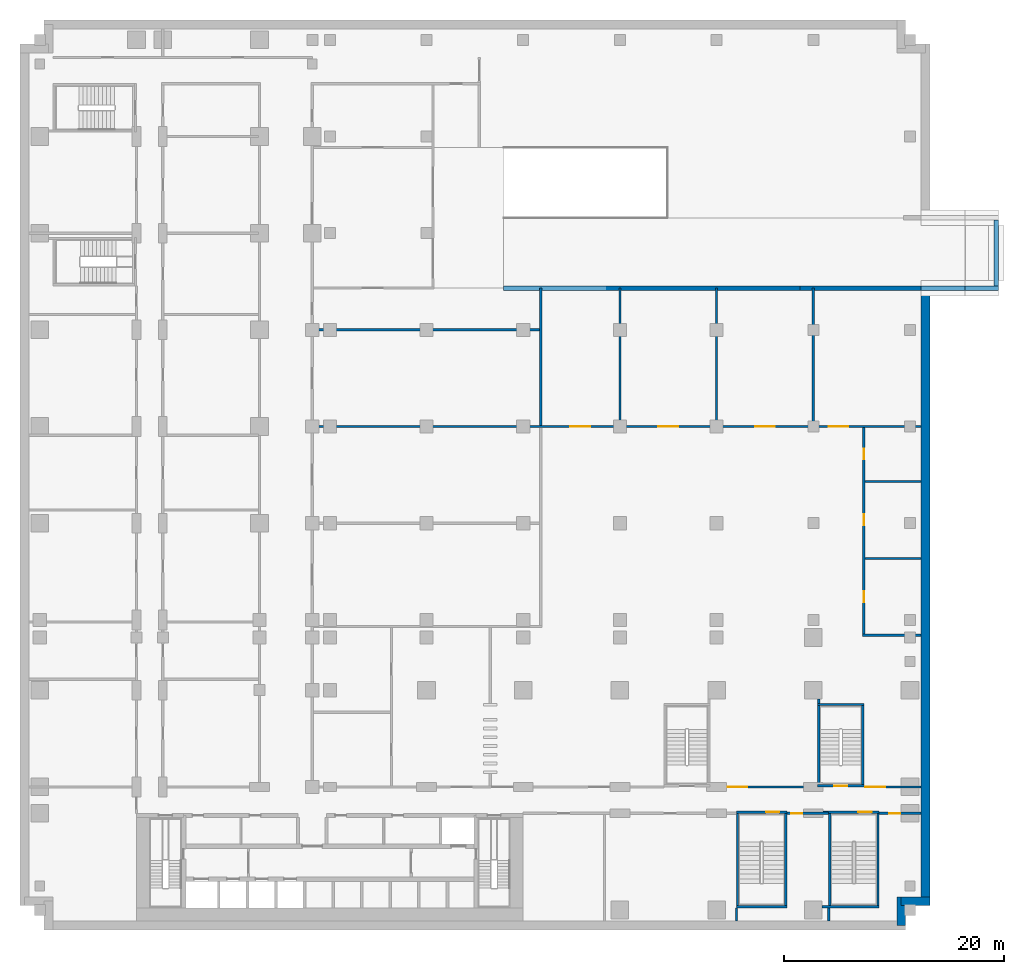
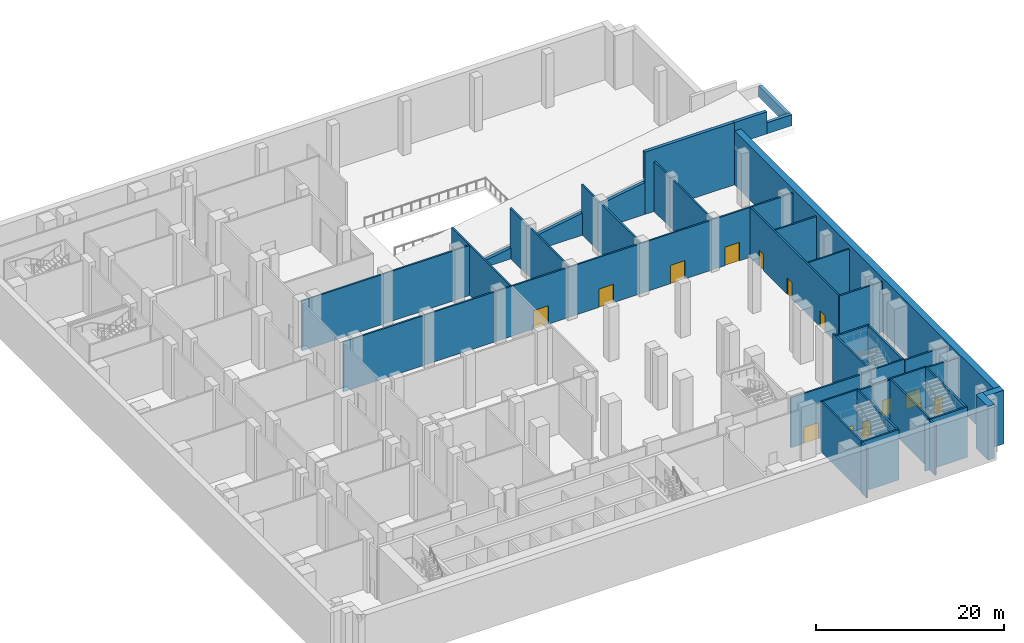
# One storey, part 7 of 15: 36 walls, 14 doors, 14 openings.
"""IFC4 building model written with IfcOpenShell, lengths in metres."""

from ifc_helpers import new_model, si_unit, direction, frame, frame_2d, origin, place, context, subcontext, project, spatial, polyline, rectangle, outline, extrude, material, layer, layer_set, type_object, element, fill, save


model = new_model("IFC4")

# Units and contexts
model_context = context("Model", 3, precision=1e-05, world=origin(), true_north=direction((0.0, 1.0)))
body_context = subcontext(model_context, "Body", "Model", "MODEL_VIEW")
ifc_project = project(units=[si_unit("LENGTHUNIT", "METRE"), si_unit("AREAUNIT", "SQUARE_METRE"), si_unit("VOLUMEUNIT", "CUBIC_METRE"), si_unit("PLANEANGLEUNIT", "RADIAN"), si_unit("MASSUNIT", "GRAM", prefix="KILO")], contexts=[model_context])

# Site, building, storey
site_placement = place(None, origin())
site = spatial("IfcSite", under=ifc_project, at=site_placement, CompositionType="ELEMENT")
building_placement = place(site_placement, origin())
building = spatial("IfcBuilding", under=site, at=building_placement, Name="Kemantara Hotel Tower", CompositionType="ELEMENT")
storey_placement = place(building_placement, frame((0.0, 0.0, -7.0)))
storey = spatial("IfcBuildingStorey", under=building, at=storey_placement, Name="B1", CompositionType="ELEMENT", Elevation=-7.0)

# Walls
ifc_material_1 = material(Name="Concrete fc 40 MPa", Category="concrete")
ifc_layer_1 = layer(ifc_material_1, 0.800048828125)
ifc_layer_set_1 = layer_set([ifc_layer_1], Name="Concrete fc 40 MPa")
wall_type_1 = type_object("IfcWallType", Name="BASEMENT PERIMETER WALL 800 FC40", PredefinedType="SHEAR", material=ifc_layer_set_1)
wall_1_placement = place(storey_placement, frame((81.60009765625, 57.39990234375, 0.0), z_axis=(0.0, 0.0, 1.0), x_axis=(0.0, -1.0, 0.0)))
element("IfcWall", 1, at=wall_1_placement, inside=storey, type_object=wall_type_1, Name="BASEMENT PERIMETER WALL B1 1", PredefinedType="SHEAR", context=body_context, shape_type="SweptSolid", body=[
    extrude(rectangle(XDim=55.599853515625, YDim=0.800048828125, at=frame_2d((27.7998046875, 0.0))), origin(), (0.0, 0.0, 1.0), 7.0),
])
wall_2_placement = place(storey_placement, frame((82.0, 1.800048828125, 0.0), z_axis=(0.0, 0.0, 1.0), x_axis=(-1.0, 0.0, 0.0)))
element("IfcWall", 2, at=wall_2_placement, inside=storey, type_object=wall_type_1, Name="BASEMENT PERIMETER WALL B1 2", PredefinedType="SHEAR", context=body_context, shape_type="SweptSolid", body=[
    extrude(rectangle(XDim=2.60009765625, YDim=0.800048828125, at=frame_2d((1.300048828125, 0.0))), origin(), (0.0, 0.0, 1.0), 7.0),
])
wall_3_placement = place(storey_placement, frame((79.39990234375, 2.199951171875, 0.0), z_axis=(0.0, 0.0, 1.0), x_axis=(0.0, -1.0, 0.0)))
element("IfcWall", 3, at=wall_3_placement, inside=storey, type_object=wall_type_1, Name="BASEMENT PERIMETER WALL B1 3", PredefinedType="SHEAR", context=body_context, shape_type="SweptSolid", body=[
    extrude(rectangle(XDim=2.599853515625, YDim=0.800048828125, at=frame_2d((1.2998046875, 0.0))), origin(), (0.0, 0.0, 1.0), 7.0),
])

# Wall, opening, door
ifc_layer_2 = layer(ifc_material_1, 0.199951171875)
ifc_layer_set_2 = layer_set([ifc_layer_2], Name="Concrete fc 40 MPa")
wall_type_2 = type_object("IfcWallType", Name="Concrete stair wall 200 mm", PredefinedType="SHEAR", material=ifc_layer_set_2)
wall_4_placement = place(storey_placement, frame((71.800048828125, 12.300048828125, 0.0), z_axis=(0.0, 0.0, 1.0), x_axis=(1.0, 0.0, 0.0)))
wall_4 = element("IfcWall", 4, at=wall_4_placement, inside=storey, type_object=wall_type_2, Name="Stair ST5 enclosure wall with door", PredefinedType="SHEAR", context=body_context, shape_type="SweptSolid", body=[
    extrude(rectangle(XDim=4.199951171875, YDim=0.199951171875, at=frame_2d((2.10009765625, 0.0))), origin(), (0.0, 0.0, 1.0), 6.550048828125),
])
opening_1_placement = place(wall_4_placement, frame((1.5, 0.0, 0.0)))
opening_1 = element("IfcOpeningElement", 5, at=opening_1_placement, cuts=wall_4, Name="Opening ST5-C", PredefinedType="OPENING", context=body_context, shape_type="SweptSolid", body=[
    extrude(rectangle(XDim=1.199951171875, YDim=2.10009765625, at=frame_2d((0.60009765625, 1.050048828125))), frame((0.0, 0.10986328125, 0.0), z_axis=(0.0, -1.0, 0.0), x_axis=(1.0, 0.0, 0.0)), (0.0, 0.0, 1.0), 0.219970703125),
])
ifc_material_2 = material(Name="Steel fire door", Category="steel")
door_type_1 = type_object("IfcDoorType", Name="Fire door FD90 1200 x 2100", OperationType="NOTDEFINED", PredefinedType="DOOR", material=ifc_material_2)
door_1_placement = place(opening_1_placement, origin())
door_1 = element("IfcDoor", 6, at=door_1_placement, inside=storey, type_object=door_type_1, Name="Stair ST5 door", OperationType="SINGLE_SWING_RIGHT", OverallHeight=2.10009765625, OverallWidth=1.199951171875, PredefinedType="DOOR", context=body_context, shape_type="SweptSolid", body=[
    extrude(rectangle(XDim=1.199951171875, YDim=2.10009765625, at=frame_2d((0.60009765625, 1.050048828125))), frame((0.0, 0.02490234375, 0.0), z_axis=(0.0, -1.0, 0.0), x_axis=(1.0, 0.0, 0.0)), (0.0, 0.0, 1.0), 0.050048828125),
])
fill(opening_1, door_1)

# Walls
wall_5_placement = place(storey_placement, frame((71.800048828125, 19.699951171875, 0.0), z_axis=(0.0, 0.0, 1.0), x_axis=(1.0, 0.0, 0.0)))
element("IfcWall", 7, at=wall_5_placement, inside=storey, type_object=wall_type_2, Name="Stair ST5 enclosure wall N", PredefinedType="SHEAR", context=body_context, shape_type="SweptSolid", body=[
    extrude(rectangle(XDim=4.199951171875, YDim=0.199951171875, at=frame_2d((2.10009765625, 0.0))), origin(), (0.0, 0.0, 1.0), 6.550048828125),
])
wall_6_placement = place(storey_placement, frame((71.89990234375, 12.39990234375, 0.0), z_axis=(0.0, 0.0, 1.0), x_axis=(0.0, 1.0, 0.0)))
element("IfcWall", 8, at=wall_6_placement, inside=storey, type_object=wall_type_2, Name="Stair ST5 enclosure wall W", PredefinedType="SHEAR", context=body_context, shape_type="SweptSolid", body=[
    extrude(rectangle(XDim=7.800048828125, YDim=0.199951171875, at=frame_2d((3.89990234375, 0.0))), origin(), (0.0, 0.0, 1.0), 6.550048828125),
])
wall_7_placement = place(storey_placement, frame((75.89990234375, 12.39990234375, 0.0), z_axis=(0.0, 0.0, 1.0), x_axis=(0.0, 1.0, 0.0)))
element("IfcWall", 9, at=wall_7_placement, inside=storey, type_object=wall_type_2, Name="Stair ST5 enclosure wall E", PredefinedType="SHEAR", context=body_context, shape_type="SweptSolid", body=[
    extrude(rectangle(XDim=7.2001953125, YDim=0.199951171875, at=frame_2d((3.60009765625, 0.0))), origin(), (0.0, 0.0, 1.0), 6.550048828125),
])

# Wall, opening, door
wall_8_placement = place(storey_placement, frame((64.39990234375, 9.89990234375, 0.0), z_axis=(0.0, 0.0, 1.0), x_axis=(1.0, 0.0, 0.0)))
wall_8 = element("IfcWall", 10, at=wall_8_placement, inside=storey, type_object=wall_type_2, Name="Stair PS4 enclosure wall with door", PredefinedType="SHEAR", context=body_context, shape_type="SweptSolid", body=[
    extrude(rectangle(XDim=4.60009765625, YDim=0.199951171875, at=frame_2d((2.300048828125, 0.0))), origin(), (0.0, 0.0, 1.0), 6.550048828125),
])
opening_2_placement = place(wall_8_placement, frame((2.699951171875, 0.0, 0.0)))
opening_2 = element("IfcOpeningElement", 11, at=opening_2_placement, cuts=wall_8, Name="Opening PS4-C", PredefinedType="OPENING", context=body_context, shape_type="SweptSolid", body=[
    extrude(rectangle(XDim=1.199951171875, YDim=2.10009765625, at=frame_2d((0.60009765625, 1.050048828125))), frame((0.0, 0.10986328125, 0.0), z_axis=(0.0, -1.0, 0.0), x_axis=(1.0, 0.0, 0.0)), (0.0, 0.0, 1.0), 0.219970703125),
])
door_2_placement = place(opening_2_placement, frame((1.199951171875, 0.0, 0.0), z_axis=(0.0, 0.0, 1.0), x_axis=(-1.0, 0.0, 0.0)))
door_2 = element("IfcDoor", 12, at=door_2_placement, inside=storey, type_object=door_type_1, Name="Stair PS4 door", OperationType="SINGLE_SWING_LEFT", OverallHeight=2.10009765625, OverallWidth=1.199951171875, PredefinedType="DOOR", context=body_context, shape_type="SweptSolid", body=[
    extrude(rectangle(XDim=1.199951171875, YDim=2.10009765625, at=frame_2d((0.60009765625, 1.050048828125))), frame((0.0, 0.02490234375, 0.0), z_axis=(0.0, -1.0, 0.0), x_axis=(1.0, 0.0, 0.0)), (0.0, 0.0, 1.0), 0.050048828125),
])
fill(opening_2, door_2)

# Walls
wall_9_placement = place(storey_placement, frame((64.39990234375, 1.300048828125, 0.0), z_axis=(0.0, 0.0, 1.0), x_axis=(1.0, 0.0, 0.0)))
element("IfcWall", 13, at=wall_9_placement, inside=storey, type_object=wall_type_2, Name="Stair PS4 enclosure wall S", PredefinedType="SHEAR", context=body_context, shape_type="SweptSolid", body=[
    extrude(rectangle(XDim=4.60009765625, YDim=0.199951171875, at=frame_2d((2.300048828125, 0.0))), origin(), (0.0, 0.0, 1.0), 6.550048828125),
])
for number, where, z_axis, x_axis, name in (
    (14, (64.5, 1.39990234375, 0.0), (0.0, 0.0, 1.0), (0.0, 1.0, 0.0), "Stair PS4 enclosure wall W"),
    (15, (68.89990234375, 1.39990234375, 0.0), (0.0, 0.0, 1.0), (0.0, 1.0, 0.0), "Stair PS4 enclosure wall E"),
):
    element("IfcWall", number, at=place(storey_placement, frame(where, z_axis=z_axis, x_axis=x_axis)), inside=storey, type_object=wall_type_2, Name=name, PredefinedType="SHEAR", context=body_context, shape_type="SweptSolid", body=[
        extrude(rectangle(XDim=8.400146484375, YDim=0.199951171875, at=frame_2d((4.2001953125, 0.0))), origin(), (0.0, 0.0, 1.0), 6.550048828125),
    ])

# Wall, opening, door
wall_10_placement = place(storey_placement, frame((72.300048828125, 9.89990234375, 0.0), z_axis=(0.0, 0.0, 1.0), x_axis=(1.0, 0.0, 0.0)))
wall_10 = element("IfcWall", 16, at=wall_10_placement, inside=storey, type_object=wall_type_2, Name="Stair PS5 enclosure wall with door", PredefinedType="SHEAR", context=body_context, shape_type="SweptSolid", body=[
    extrude(rectangle(XDim=5.099853515625, YDim=0.199951171875, at=frame_2d((2.5498046875, 0.0))), origin(), (0.0, 0.0, 1.0), 6.550048828125),
])
opening_3_placement = place(wall_10_placement, frame((3.199951171875, 0.0, 0.0)))
opening_3 = element("IfcOpeningElement", 17, at=opening_3_placement, cuts=wall_10, Name="Opening PS5-C", PredefinedType="OPENING", context=body_context, shape_type="SweptSolid", body=[
    extrude(rectangle(XDim=1.199951171875, YDim=2.10009765625, at=frame_2d((0.60009765625, 1.050048828125))), frame((0.0, 0.10986328125, 0.0), z_axis=(0.0, -1.0, 0.0), x_axis=(1.0, 0.0, 0.0)), (0.0, 0.0, 1.0), 0.219970703125),
])
door_3_placement = place(opening_3_placement, frame((1.199951171875, 0.0, 0.0), z_axis=(0.0, 0.0, 1.0), x_axis=(-1.0, 0.0, 0.0)))
door_3 = element("IfcDoor", 18, at=door_3_placement, inside=storey, type_object=door_type_1, Name="Stair PS5 door", OperationType="SINGLE_SWING_LEFT", OverallHeight=2.10009765625, OverallWidth=1.199951171875, PredefinedType="DOOR", context=body_context, shape_type="SweptSolid", body=[
    extrude(rectangle(XDim=1.199951171875, YDim=2.10009765625, at=frame_2d((0.60009765625, 1.050048828125))), frame((0.0, 0.02490234375, 0.0), z_axis=(0.0, -1.0, 0.0), x_axis=(1.0, 0.0, 0.0)), (0.0, 0.0, 1.0), 0.050048828125),
])
fill(opening_3, door_3)

# Walls
wall_11_placement = place(storey_placement, frame((72.199951171875, 1.300048828125, 0.0), z_axis=(0.0, 0.0, 1.0), x_axis=(1.0, 0.0, 0.0)))
element("IfcWall", 19, at=wall_11_placement, inside=storey, type_object=wall_type_2, Name="Stair PS5 enclosure wall S", PredefinedType="SHEAR", context=body_context, shape_type="SweptSolid", body=[
    extrude(rectangle(XDim=5.199951171875, YDim=0.199951171875, at=frame_2d((2.60009765625, 0.0))), origin(), (0.0, 0.0, 1.0), 6.550048828125),
])
for number, where, z_axis, x_axis, name in (
    (20, (72.89990234375, 1.39990234375, 0.0), (0.0, 0.0, 1.0), (0.0, 1.0, 0.0), "Stair PS5 enclosure wall W"),
    (21, (77.300048828125, 1.39990234375, 0.0), (0.0, 0.0, 1.0), (0.0, 1.0, 0.0), "Stair PS5 enclosure wall E"),
):
    element("IfcWall", number, at=place(storey_placement, frame(where, z_axis=z_axis, x_axis=x_axis)), inside=storey, type_object=wall_type_2, Name=name, PredefinedType="SHEAR", context=body_context, shape_type="SweptSolid", body=[
        extrude(rectangle(XDim=8.400146484375, YDim=0.199951171875, at=frame_2d((4.2001953125, 0.0))), origin(), (0.0, 0.0, 1.0), 6.550048828125),
    ])

# Wall, opening, door
ifc_material_3 = material(Name="Fire-rated gypsum board partition")
ifc_layer_3 = layer(ifc_material_3, 0.199951171875)
ifc_layer_set_3 = layer_set([ifc_layer_3], Name="Fire-rated gypsum board partition")
wall_type_3 = type_object("IfcWallType", Name="FIRE-RATED GYPSUM PARTITION 200 EI 60", PredefinedType="PARTITIONING", material=ifc_layer_set_3)
wall_12_placement = place(storey_placement, frame((62.0, 12.199951171875, 0.0), z_axis=(0.0, 0.0, 1.0), x_axis=(1.0, 0.0, 0.0)))
wall_12 = element("IfcWall", 22, at=wall_12_placement, inside=storey, type_object=wall_type_3, Name="FIRE-RATED PARTITION", PredefinedType="PARTITIONING", context=body_context, shape_type="SweptSolid", body=[
    extrude(rectangle(XDim=9.800048828125, YDim=0.199951171875, at=frame_2d((4.89990234375, 0.0))), origin(), (0.0, 0.0, 1.0), 6.5),
])
opening_4_placement = place(wall_12_placement, frame((1.60009765625, 0.0, 0.0)))
opening_4 = element("IfcOpeningElement", 23, at=opening_4_placement, cuts=wall_12, Name="Opening B1-B027", PredefinedType="OPENING", context=body_context, shape_type="SweptSolid", body=[
    extrude(rectangle(XDim=1.800048828125, YDim=2.10009765625, at=frame_2d((0.89990234375, 1.050048828125))), frame((0.0, 0.10986328125, 0.0), z_axis=(0.0, -1.0, 0.0), x_axis=(1.0, 0.0, 0.0)), (0.0, 0.0, 1.0), 0.219970703125),
])
ifc_material_4 = material(Name="Galvanised steel door leaf", Category="steel")
door_type_2 = type_object("IfcDoorType", Name="FIRE-RATED STEEL DOOR DOUBLE LEAF 1800 X 2100", OperationType="DOUBLE_DOOR_SINGLE_SWING", PredefinedType="DOOR", material=ifc_material_4)
door_4_placement = place(opening_4_placement, origin())
door_4 = element("IfcDoor", 24, at=door_4_placement, inside=storey, type_object=door_type_2, Name="FIRE-RATED STEEL DOOR DOUBLE LEAF", OperationType="DOUBLE_DOOR_SINGLE_SWING", OverallHeight=2.10009765625, OverallWidth=1.800048828125, PredefinedType="DOOR", context=body_context, shape_type="SweptSolid", body=[
    extrude(rectangle(XDim=1.800048828125, YDim=2.10009765625, at=frame_2d((0.89990234375, 1.050048828125))), frame((0.0, 0.02490234375, 0.0), z_axis=(0.0, -1.0, 0.0), x_axis=(1.0, 0.0, 0.0)), (0.0, 0.0, 1.0), 0.050048828125),
])
fill(opening_4, door_4)

wall_13_placement = place(storey_placement, frame((76.0, 12.199951171875, 0.0), z_axis=(0.0, 0.0, 1.0), x_axis=(1.0, 0.0, 0.0)))
wall_13 = element("IfcWall", 25, at=wall_13_placement, inside=storey, type_object=wall_type_3, Name="FIRE-RATED PARTITION", PredefinedType="PARTITIONING", context=body_context, shape_type="SweptSolid", body=[
    extrude(rectangle(XDim=5.199951171875, YDim=0.199951171875, at=frame_2d((2.60009765625, 0.0))), origin(), (0.0, 0.0, 1.0), 6.5),
])
opening_5_placement = place(wall_13_placement, frame((0.14990234375, 0.0, 0.0)))
opening_5 = element("IfcOpeningElement", 26, at=opening_5_placement, cuts=wall_13, Name="Opening B1-B028", PredefinedType="OPENING", context=body_context, shape_type="SweptSolid", body=[
    extrude(rectangle(XDim=1.800048828125, YDim=2.10009765625, at=frame_2d((0.89990234375, 1.050048828125))), frame((0.0, 0.10986328125, 0.0), z_axis=(0.0, -1.0, 0.0), x_axis=(1.0, 0.0, 0.0)), (0.0, 0.0, 1.0), 0.219970703125),
])
door_5_placement = place(opening_5_placement, origin())
door_5 = element("IfcDoor", 27, at=door_5_placement, inside=storey, type_object=door_type_2, Name="FIRE-RATED STEEL DOOR DOUBLE LEAF", OperationType="DOUBLE_DOOR_SINGLE_SWING", OverallHeight=2.10009765625, OverallWidth=1.800048828125, PredefinedType="DOOR", context=body_context, shape_type="SweptSolid", body=[
    extrude(rectangle(XDim=1.800048828125, YDim=2.10009765625, at=frame_2d((0.89990234375, 1.050048828125))), frame((0.0, 0.02490234375, 0.0), z_axis=(0.0, -1.0, 0.0), x_axis=(1.0, 0.0, 0.0)), (0.0, 0.0, 1.0), 0.050048828125),
])
fill(opening_5, door_5)

wall_14_placement = place(storey_placement, frame((69.0, 9.800048828125, 0.0), z_axis=(0.0, 0.0, 1.0), x_axis=(1.0, 0.0, 0.0)))
wall_14 = element("IfcWall", 28, at=wall_14_placement, inside=storey, type_object=wall_type_3, Name="FIRE-RATED PARTITION", PredefinedType="PARTITIONING", context=body_context, shape_type="SweptSolid", body=[
    extrude(rectangle(XDim=3.800048828125, YDim=0.199951171875, at=frame_2d((1.89990234375, 0.0))), origin(), (0.0, 0.0, 1.0), 6.5),
])
opening_6_placement = place(wall_14_placement, frame((0.39990234375, 0.0, 0.0)))
opening_6 = element("IfcOpeningElement", 29, at=opening_6_placement, cuts=wall_14, Name="Opening B1-B021", PredefinedType="OPENING", context=body_context, shape_type="SweptSolid", body=[
    extrude(rectangle(XDim=1.0, YDim=2.10009765625, at=frame_2d((0.5, 1.050048828125))), frame((0.0, 0.10986328125, 0.0), z_axis=(0.0, -1.0, 0.0), x_axis=(1.0, 0.0, 0.0)), (0.0, 0.0, 1.0), 0.219970703125),
])
ifc_material_5 = material(Name="Timber veneer door leaf", Category="wood")
door_type_3 = type_object("IfcDoorType", Name="SINGLE LEAF TIMBER DOOR 1000 X 2100", OperationType="SINGLE_SWING_LEFT", PredefinedType="DOOR", material=ifc_material_5)
door_6_placement = place(opening_6_placement, origin())
door_6 = element("IfcDoor", 30, at=door_6_placement, inside=storey, type_object=door_type_3, Name="SINGLE LEAF TIMBER DOOR", OperationType="SINGLE_SWING_LEFT", OverallHeight=2.10009765625, OverallWidth=1.0, PredefinedType="DOOR", context=body_context, shape_type="SweptSolid", body=[
    extrude(rectangle(XDim=1.0, YDim=2.10009765625, at=frame_2d((0.5, 1.050048828125))), frame((0.0, 0.02490234375, 0.0), z_axis=(0.0, -1.0, 0.0), x_axis=(1.0, 0.0, 0.0)), (0.0, 0.0, 1.0), 0.050048828125),
])
fill(opening_6, door_6)

wall_15_placement = place(storey_placement, frame((77.39990234375, 9.800048828125, 0.0), z_axis=(0.0, 0.0, 1.0), x_axis=(1.0, 0.0, 0.0)))
wall_15 = element("IfcWall", 31, at=wall_15_placement, inside=storey, type_object=wall_type_3, Name="FIRE-RATED PARTITION", PredefinedType="PARTITIONING", context=body_context, shape_type="SweptSolid", body=[
    extrude(rectangle(XDim=3.800048828125, YDim=0.199951171875, at=frame_2d((1.89990234375, 0.0))), origin(), (0.0, 0.0, 1.0), 6.5),
])
opening_7_placement = place(wall_15_placement, frame((0.89990234375, 0.0, 0.0)))
opening_7 = element("IfcOpeningElement", 32, at=opening_7_placement, cuts=wall_15, Name="Opening B1-B022", PredefinedType="OPENING", context=body_context, shape_type="SweptSolid", body=[
    extrude(rectangle(XDim=1.0, YDim=2.10009765625, at=frame_2d((0.5, 1.050048828125))), frame((0.0, 0.10986328125, 0.0), z_axis=(0.0, -1.0, 0.0), x_axis=(1.0, 0.0, 0.0)), (0.0, 0.0, 1.0), 0.219970703125),
])
door_7_placement = place(opening_7_placement, origin())
door_7 = element("IfcDoor", 33, at=door_7_placement, inside=storey, type_object=door_type_3, Name="SINGLE LEAF TIMBER DOOR", OperationType="SINGLE_SWING_LEFT", OverallHeight=2.10009765625, OverallWidth=1.0, PredefinedType="DOOR", context=body_context, shape_type="SweptSolid", body=[
    extrude(rectangle(XDim=1.0, YDim=2.10009765625, at=frame_2d((0.5, 1.050048828125))), frame((0.0, 0.02490234375, 0.0), z_axis=(0.0, -1.0, 0.0), x_axis=(1.0, 0.0, 0.0)), (0.0, 0.0, 1.0), 0.050048828125),
])
fill(opening_7, door_7)

# Walls
ifc_material_6 = material(Name="Gypsum board partition")
ifc_layer_4 = layer(ifc_material_6, 0.199951171875)
ifc_layer_set_4 = layer_set([ifc_layer_4], Name="Gypsum board partition")
wall_type_4 = type_object("IfcWallType", Name="GYPSUM BOARD PARTITION 200", PredefinedType="PARTITIONING", material=ifc_layer_set_4)
wall_16_placement = place(storey_placement, frame((76.10009765625, 33.0, 0.0), z_axis=(0.0, 0.0, 1.0), x_axis=(1.0, 0.0, 0.0)))
element("IfcWall", 34, at=wall_16_placement, inside=storey, type_object=wall_type_4, Name="PARTITION", PredefinedType="PARTITIONING", context=body_context, shape_type="SweptSolid", body=[
    extrude(rectangle(XDim=5.099853515625, YDim=0.199951171875, at=frame_2d((2.5498046875, 0.0))), origin(), (0.0, 0.0, 1.0), 6.5),
])
wall_17_placement = place(storey_placement, frame((75.89990234375, 26.0, 0.0), z_axis=(0.0, 0.0, 1.0), x_axis=(1.0, 0.0, 0.0)))
element("IfcWall", 35, at=wall_17_placement, inside=storey, type_object=wall_type_4, Name="PARTITION", PredefinedType="PARTITIONING", context=body_context, shape_type="SweptSolid", body=[
    extrude(rectangle(XDim=5.300048828125, YDim=0.199951171875, at=frame_2d((2.64990234375, 0.0))), origin(), (0.0, 0.0, 1.0), 6.5),
])
wall_18_placement = place(storey_placement, frame((76.10009765625, 40.0, 0.0), z_axis=(0.0, 0.0, 1.0), x_axis=(1.0, 0.0, 0.0)))
element("IfcWall", 36, at=wall_18_placement, inside=storey, type_object=wall_type_4, Name="PARTITION", PredefinedType="PARTITIONING", context=body_context, shape_type="SweptSolid", body=[
    extrude(rectangle(XDim=5.099853515625, YDim=0.199951171875, at=frame_2d((2.5498046875, 0.0))), origin(), (0.0, 0.0, 1.0), 6.5),
])

# Wall, openings, doors
wall_19_placement = place(storey_placement, frame((25.89990234375, 45.0, 0.0), z_axis=(0.0, 0.0, 1.0), x_axis=(1.0, 0.0, 0.0)))
wall_19 = element("IfcWall", 37, at=wall_19_placement, inside=storey, type_object=wall_type_4, Name="PARTITION", PredefinedType="PARTITIONING", context=body_context, shape_type="SweptSolid", body=[
    extrude(rectangle(XDim=55.300048828125, YDim=0.199951171875, at=frame_2d((27.64990234375, 0.0))), origin(), (0.0, 0.0, 1.0), 6.5),
])
opening_8_placement = place(wall_19_placement, frame((23.39990234375, 0.0, 0.0)))
opening_8 = element("IfcOpeningElement", 38, at=opening_8_placement, cuts=wall_19, Name="Opening B1-B032", PredefinedType="OPENING", context=body_context, shape_type="SweptSolid", body=[
    extrude(rectangle(XDim=1.800048828125, YDim=2.39990234375, at=frame_2d((0.89990234375, 1.199951171875))), frame((0.0, 0.10986328125, 0.0), z_axis=(0.0, -1.0, 0.0), x_axis=(1.0, 0.0, 0.0)), (0.0, 0.0, 1.0), 0.219970703125),
])
opening_9_placement = place(wall_19_placement, frame((31.39990234375, 0.0, 0.0)))
opening_9 = element("IfcOpeningElement", 39, at=opening_9_placement, cuts=wall_19, Name="Opening B1-B033", PredefinedType="OPENING", context=body_context, shape_type="SweptSolid", body=[
    extrude(rectangle(XDim=1.800048828125, YDim=2.39990234375, at=frame_2d((0.89990234375, 1.199951171875))), frame((0.0, 0.10986328125, 0.0), z_axis=(0.0, -1.0, 0.0), x_axis=(1.0, 0.0, 0.0)), (0.0, 0.0, 1.0), 0.219970703125),
])
opening_10_placement = place(wall_19_placement, frame((40.199951171875, 0.0, 0.0)))
opening_10 = element("IfcOpeningElement", 40, at=opening_10_placement, cuts=wall_19, Name="Opening B1-B034", PredefinedType="OPENING", context=body_context, shape_type="SweptSolid", body=[
    extrude(rectangle(XDim=1.800048828125, YDim=2.39990234375, at=frame_2d((0.89990234375, 1.199951171875))), frame((0.0, 0.10986328125, 0.0), z_axis=(0.0, -1.0, 0.0), x_axis=(1.0, 0.0, 0.0)), (0.0, 0.0, 1.0), 0.219970703125),
])
opening_11_placement = place(wall_19_placement, frame((46.89990234375, 0.0, 0.0)))
opening_11 = element("IfcOpeningElement", 41, at=opening_11_placement, cuts=wall_19, Name="Opening B1-B035", PredefinedType="OPENING", context=body_context, shape_type="SweptSolid", body=[
    extrude(rectangle(XDim=1.800048828125, YDim=2.39990234375, at=frame_2d((0.89990234375, 1.199951171875))), frame((0.0, 0.10986328125, 0.0), z_axis=(0.0, -1.0, 0.0), x_axis=(1.0, 0.0, 0.0)), (0.0, 0.0, 1.0), 0.219970703125),
])
ifc_material_7 = material(Name="Toughened glass door leaf", Category="glass")
door_type_4 = type_object("IfcDoorType", Name="GLAZED DOUBLE DOOR 1800 X 2400", OperationType="DOUBLE_DOOR_SINGLE_SWING", PredefinedType="DOOR", material=ifc_material_7)
door_8_placement = place(opening_8_placement, frame((1.800048828125, 0.0, 0.0), z_axis=(0.0, 0.0, 1.0), x_axis=(-1.0, 0.0, 0.0)))
door_8 = element("IfcDoor", 42, at=door_8_placement, inside=storey, type_object=door_type_4, Name="GLAZED DOUBLE DOOR", OperationType="DOUBLE_DOOR_SINGLE_SWING", OverallHeight=2.39990234375, OverallWidth=1.800048828125, PredefinedType="DOOR", context=body_context, shape_type="SweptSolid", body=[
    extrude(rectangle(XDim=1.800048828125, YDim=2.39990234375, at=frame_2d((0.89990234375, 1.199951171875))), frame((0.0, 0.02490234375, 0.0), z_axis=(0.0, -1.0, 0.0), x_axis=(1.0, 0.0, 0.0)), (0.0, 0.0, 1.0), 0.050048828125),
])
fill(opening_8, door_8)
door_9_placement = place(opening_9_placement, frame((1.800048828125, 0.0, 0.0), z_axis=(0.0, 0.0, 1.0), x_axis=(-1.0, 0.0, 0.0)))
door_9 = element("IfcDoor", 43, at=door_9_placement, inside=storey, type_object=door_type_4, Name="GLAZED DOUBLE DOOR", OperationType="DOUBLE_DOOR_SINGLE_SWING", OverallHeight=2.39990234375, OverallWidth=1.800048828125, PredefinedType="DOOR", context=body_context, shape_type="SweptSolid", body=[
    extrude(rectangle(XDim=1.800048828125, YDim=2.39990234375, at=frame_2d((0.89990234375, 1.199951171875))), frame((0.0, 0.02490234375, 0.0), z_axis=(0.0, -1.0, 0.0), x_axis=(1.0, 0.0, 0.0)), (0.0, 0.0, 1.0), 0.050048828125),
])
fill(opening_9, door_9)
door_10_placement = place(opening_10_placement, frame((1.800048828125, 0.0, 0.0), z_axis=(0.0, 0.0, 1.0), x_axis=(-1.0, 0.0, 0.0)))
door_10 = element("IfcDoor", 44, at=door_10_placement, inside=storey, type_object=door_type_4, Name="GLAZED DOUBLE DOOR", OperationType="DOUBLE_DOOR_SINGLE_SWING", OverallHeight=2.39990234375, OverallWidth=1.800048828125, PredefinedType="DOOR", context=body_context, shape_type="SweptSolid", body=[
    extrude(rectangle(XDim=1.800048828125, YDim=2.39990234375, at=frame_2d((0.89990234375, 1.199951171875))), frame((0.0, 0.02490234375, 0.0), z_axis=(0.0, -1.0, 0.0), x_axis=(1.0, 0.0, 0.0)), (0.0, 0.0, 1.0), 0.050048828125),
])
fill(opening_10, door_10)
door_11_placement = place(opening_11_placement, frame((1.800048828125, 0.0, 0.0), z_axis=(0.0, 0.0, 1.0), x_axis=(-1.0, 0.0, 0.0)))
door_11 = element("IfcDoor", 45, at=door_11_placement, inside=storey, type_object=door_type_4, Name="GLAZED DOUBLE DOOR", OperationType="DOUBLE_DOOR_SINGLE_SWING", OverallHeight=2.39990234375, OverallWidth=1.800048828125, PredefinedType="DOOR", context=body_context, shape_type="SweptSolid", body=[
    extrude(rectangle(XDim=1.800048828125, YDim=2.39990234375, at=frame_2d((0.89990234375, 1.199951171875))), frame((0.0, 0.02490234375, 0.0), z_axis=(0.0, -1.0, 0.0), x_axis=(1.0, 0.0, 0.0)), (0.0, 0.0, 1.0), 0.050048828125),
])
fill(opening_11, door_11)

# Walls
wall_20_placement = place(storey_placement, frame((25.89990234375, 53.800048828125, 0.0), z_axis=(0.0, 0.0, 1.0), x_axis=(1.0, 0.0, 0.0)))
element("IfcWall", 46, at=wall_20_placement, inside=storey, type_object=wall_type_4, Name="PARTITION", PredefinedType="PARTITIONING", context=body_context, shape_type="SweptSolid", body=[
    extrude(rectangle(XDim=20.60009765625, YDim=0.199951171875, at=frame_2d((10.300048828125, 0.0))), origin(), (0.0, 0.0, 1.0), 6.5),
])
for number, where, z_axis, x_axis, name in (
    (47, (64.39990234375, 0.0, 0.0), (0.0, 0.0, 1.0), (0.0, 1.0, 0.0), "PARTITION"),
    (48, (72.800048828125, 0.0, 0.0), (0.0, 0.0, 1.0), (0.0, 1.0, 0.0), "PARTITION"),
):
    element("IfcWall", number, at=place(storey_placement, frame(where, z_axis=z_axis, x_axis=x_axis)), inside=storey, type_object=wall_type_4, Name=name, PredefinedType="PARTITIONING", context=body_context, shape_type="SweptSolid", body=[
        extrude(rectangle(XDim=1.199951171875, YDim=0.199951171875, at=frame_2d((0.60009765625, 0.0))), origin(), (0.0, 0.0, 1.0), 6.5),
    ])

# Wall, openings, doors
wall_21_placement = place(storey_placement, frame((76.0, 26.10009765625, 0.0), z_axis=(0.0, 0.0, 1.0), x_axis=(0.0, 1.0, 0.0)))
wall_21 = element("IfcWall", 49, at=wall_21_placement, inside=storey, type_object=wall_type_4, Name="PARTITION", PredefinedType="PARTITIONING", context=body_context, shape_type="SweptSolid", body=[
    extrude(rectangle(XDim=18.7998046875, YDim=0.199951171875, at=frame_2d((9.39990234375, 0.0))), origin(), (0.0, 0.0, 1.0), 6.5),
])
opening_12_placement = place(wall_21_placement, frame((2.89990234375, 0.0, 0.0)))
opening_12 = element("IfcOpeningElement", 50, at=opening_12_placement, cuts=wall_21, Name="Opening B1-B029", PredefinedType="OPENING", context=body_context, shape_type="SweptSolid", body=[
    extrude(rectangle(XDim=1.0, YDim=2.10009765625, at=frame_2d((0.5, 1.050048828125))), frame((0.0, 0.10986328125, 0.0), z_axis=(0.0, -1.0, 0.0), x_axis=(1.0, 0.0, 0.0)), (0.0, 0.0, 1.0), 0.219970703125),
])
opening_13_placement = place(wall_21_placement, frame((9.89990234375, 0.0, 0.0)))
opening_13 = element("IfcOpeningElement", 51, at=opening_13_placement, cuts=wall_21, Name="Opening B1-B030", PredefinedType="OPENING", context=body_context, shape_type="SweptSolid", body=[
    extrude(rectangle(XDim=1.0, YDim=2.10009765625, at=frame_2d((0.5, 1.050048828125))), frame((0.0, 0.10986328125, 0.0), z_axis=(0.0, -1.0, 0.0), x_axis=(1.0, 0.0, 0.0)), (0.0, 0.0, 1.0), 0.219970703125),
])
opening_14_placement = place(wall_21_placement, frame((15.89990234375, 0.0, 0.0)))
opening_14 = element("IfcOpeningElement", 52, at=opening_14_placement, cuts=wall_21, Name="Opening B1-B031", PredefinedType="OPENING", context=body_context, shape_type="SweptSolid", body=[
    extrude(rectangle(XDim=1.0, YDim=2.10009765625, at=frame_2d((0.5, 1.050048828125))), frame((0.0, 0.10986328125, 0.0), z_axis=(0.0, -1.0, 0.0), x_axis=(1.0, 0.0, 0.0)), (0.0, 0.0, 1.0), 0.219970703125),
])
door_12_placement = place(opening_12_placement, frame((1.0, 0.0, 0.0), z_axis=(0.0, 0.0, 1.0), x_axis=(-1.0, 0.0, 0.0)))
door_12 = element("IfcDoor", 53, at=door_12_placement, inside=storey, type_object=door_type_3, Name="SINGLE LEAF TIMBER DOOR", OperationType="SINGLE_SWING_RIGHT", OverallHeight=2.10009765625, OverallWidth=1.0, PredefinedType="DOOR", context=body_context, shape_type="SweptSolid", body=[
    extrude(rectangle(XDim=1.0, YDim=2.10009765625, at=frame_2d((0.5, 1.050048828125))), frame((0.0, 0.02490234375, 0.0), z_axis=(0.0, -1.0, 0.0), x_axis=(1.0, 0.0, 0.0)), (0.0, 0.0, 1.0), 0.050048828125),
])
fill(opening_12, door_12)
door_13_placement = place(opening_13_placement, frame((1.0, 0.0, 0.0), z_axis=(0.0, 0.0, 1.0), x_axis=(-1.0, 0.0, 0.0)))
door_13 = element("IfcDoor", 54, at=door_13_placement, inside=storey, type_object=door_type_3, Name="SINGLE LEAF TIMBER DOOR", OperationType="SINGLE_SWING_LEFT", OverallHeight=2.10009765625, OverallWidth=1.0, PredefinedType="DOOR", context=body_context, shape_type="SweptSolid", body=[
    extrude(rectangle(XDim=1.0, YDim=2.10009765625, at=frame_2d((0.5, 1.050048828125))), frame((0.0, 0.02490234375, 0.0), z_axis=(0.0, -1.0, 0.0), x_axis=(1.0, 0.0, 0.0)), (0.0, 0.0, 1.0), 0.050048828125),
])
fill(opening_13, door_13)
door_14_placement = place(opening_14_placement, frame((1.0, 0.0, 0.0), z_axis=(0.0, 0.0, 1.0), x_axis=(-1.0, 0.0, 0.0)))
door_14 = element("IfcDoor", 55, at=door_14_placement, inside=storey, type_object=door_type_3, Name="SINGLE LEAF TIMBER DOOR", OperationType="SINGLE_SWING_LEFT", OverallHeight=2.10009765625, OverallWidth=1.0, PredefinedType="DOOR", context=body_context, shape_type="SweptSolid", body=[
    extrude(rectangle(XDim=1.0, YDim=2.10009765625, at=frame_2d((0.5, 1.050048828125))), frame((0.0, 0.02490234375, 0.0), z_axis=(0.0, -1.0, 0.0), x_axis=(1.0, 0.0, 0.0)), (0.0, 0.0, 1.0), 0.050048828125),
])
fill(opening_14, door_14)

# Walls
for number, where, z_axis, x_axis, name in (
    (56, (46.60009765625, 45.10009765625, 0.0), (0.0, 0.0, 1.0), (0.0, 1.0, 0.0), "PARTITION"),
    (57, (53.800048828125, 45.10009765625, 0.0), (0.0, 0.0, 1.0), (0.0, 1.0, 0.0), "PARTITION"),
    (58, (62.60009765625, 45.10009765625, 0.0), (0.0, 0.0, 1.0), (0.0, 1.0, 0.0), "PARTITION"),
    (59, (71.39990234375, 45.10009765625, 0.0), (0.0, 0.0, 1.0), (0.0, 1.0, 0.0), "PARTITION"),
):
    element("IfcWall", number, at=place(storey_placement, frame(where, z_axis=z_axis, x_axis=x_axis)), inside=storey, type_object=wall_type_4, Name=name, PredefinedType="PARTITIONING", context=body_context, shape_type="SweptSolid", body=[
        extrude(rectangle(XDim=12.5, YDim=0.199951171875, at=frame_2d((6.25, 0.0))), origin(), (0.0, 0.0, 1.0), 6.5),
    ])
ifc_layer_5 = layer(ifc_material_1, 0.39990234375)
ifc_layer_set_5 = layer_set([ifc_layer_5], Name="Concrete fc 40 MPa")
wall_type_5 = type_object("IfcWallType", Name="RAMP WALL 400 FC40", PredefinedType="SHEAR", material=ifc_layer_set_5)
wall_22_placement = place(storey_placement, frame((43.199951171875, 57.60009765625, 0.0), z_axis=(0.0, 0.0, 1.0), x_axis=(1.0, 0.0, 0.0)))
element("IfcWall", 60, at=wall_22_placement, inside=storey, type_object=wall_type_5, Name="RAMP WALL R1 SOUTH", PredefinedType="SHEAR", context=body_context, shape_type="SweptSolid", body=[
    extrude(outline(polyline([(0.0, 0.0), (27.0, 0.0), (27.0, 4.14990234375), (24.300048828125, 3.699951171875), (21.60009765625, 3.25), (18.89990234375, 2.800048828125), (16.199951171875, 2.35009765625), (13.5, 1.89990234375), (10.800048828125, 1.449951171875), (8.10009765625, 1.0), (5.39990234375, 0.550048828125), (2.699951171875, 0.10009765625), (0.0, 0.050048828125), (0.0, 0.0)])), frame((0.0, 0.199951171875, 0.0), z_axis=(0.0, -1.0, 0.0), x_axis=(1.0, 0.0, 0.0)), (0.0, 0.0, 1.0), 0.39990234375),
])
wall_23_placement = place(storey_placement, frame((70.199951171875, 57.60009765625, 0.0), z_axis=(0.0, 0.0, 1.0), x_axis=(1.0, 0.0, 0.0)))
element("IfcWall", 61, at=wall_23_placement, inside=storey, type_object=wall_type_5, Name="RAMP RETAINING WALL R1 SOUTH OPEN PART", PredefinedType="SHEAR", context=body_context, shape_type="SweptSolid", body=[
    extrude(outline(polyline([(0.0, 0.0), (11.0, 0.0), (11.0, 8.10009765625), (8.25, 8.10009765625), (5.5, 8.10009765625), (2.75, 8.10009765625), (0.0, 8.10009765625), (0.0, 0.0)])), frame((0.0, 0.199951171875, 0.0), z_axis=(0.0, -1.0, 0.0), x_axis=(1.0, 0.0, 0.0)), (0.0, 0.0, 1.0), 0.39990234375),
])
wall_24_placement = place(storey_placement, frame((81.199951171875, 57.60009765625, 5.199951171875), z_axis=(0.0, 0.0, 1.0), x_axis=(1.0, 0.0, 0.0)))
element("IfcWall", 62, at=wall_24_placement, inside=storey, type_object=wall_type_5, Name="RAMP RETAINING WALL R1 SOUTH BEYOND THE BASEMENT", PredefinedType="SHEAR", context=body_context, shape_type="SweptSolid", body=[
    extrude(outline(polyline([(0.0, 0.0), (4.0, 0.0), (4.0, 2.900146484375), (2.0, 2.900146484375), (0.0, 2.900146484375), (0.0, 0.0)])), frame((0.0, 0.199951171875, 0.0), z_axis=(0.0, -1.0, 0.0), x_axis=(1.0, 0.0, 0.0)), (0.0, 0.0, 1.0), 0.39990234375),
])
wall_25_placement = place(storey_placement, frame((88.056640625, 57.800048828125, 5.199951171875), z_axis=(0.0, 0.0, 1.0), x_axis=(0.0, 1.0, 0.0)))
element("IfcWall", 63, at=wall_25_placement, inside=storey, type_object=wall_type_5, Name="RAMP ABUTMENT END WALL", PredefinedType="SHEAR", context=body_context, shape_type="SweptSolid", body=[
    extrude(outline(polyline([(0.0, 0.0), (6.0, 0.0), (6.0, 1.449951171875), (3.0, 1.449951171875), (0.0, 1.449951171875), (0.0, 0.0)])), frame((0.0, 0.199951171875, 0.0), z_axis=(0.0, -1.0, 0.0), x_axis=(1.0, 0.0, 0.0)), (0.0, 0.0, 1.0), 0.39990234375),
])
wall_26_placement = place(storey_placement, frame((85.199951171875, 57.60009765625, 5.199951171875), z_axis=(0.0, 0.0, 1.0), x_axis=(1.0, 0.0, 0.0)))
element("IfcWall", 64, at=wall_26_placement, inside=storey, type_object=wall_type_5, Name="RAMP ABUTMENT SIDE WALL S", PredefinedType="SHEAR", context=body_context, shape_type="SweptSolid", body=[
    extrude(outline(polyline([(0.0, 0.0), (3.056884765625, 0.0), (3.056640625, 1.449951171875), (1.5283203125, 1.449951171875), (0.0, 1.449951171875), (0.0, 0.0)])), frame((0.0, 0.199951171875, 0.0), z_axis=(0.0, -1.0, 0.0), x_axis=(1.0, 0.0, 0.0)), (0.0, 0.0, 1.0), 0.39990234375),
])

save(model, "model.ifc")
